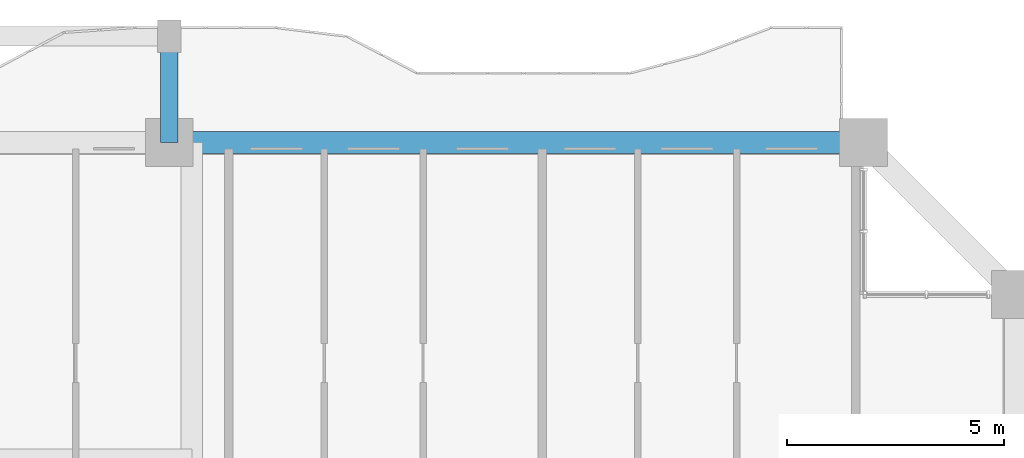
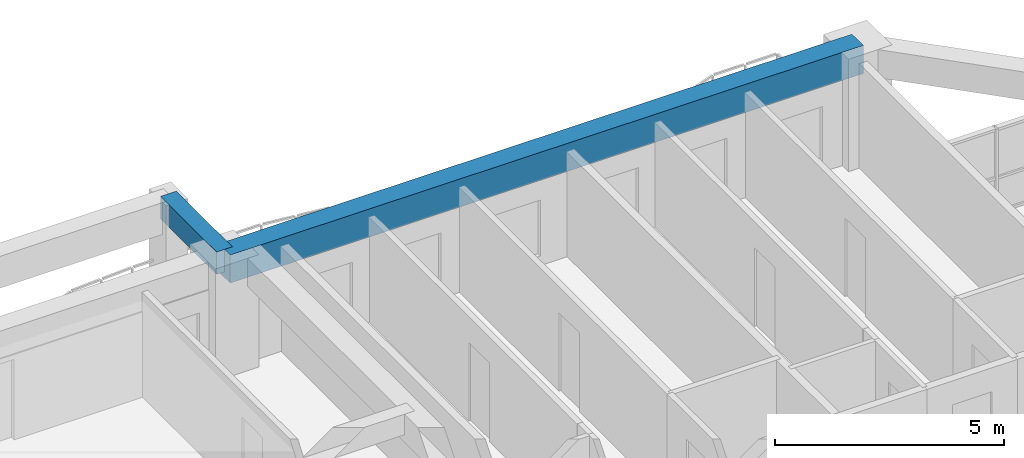
# One storey, part 11 of 28: 2 beams.
"""IFC4 building model written with IfcOpenShell, lengths in metres."""

from ifc_helpers import new_model, si_unit, direction, frame, origin, origin_2d, place, context, subcontext, project, spatial, rectangle, extrude, source, transform, mapped, material, material_profile, profile_set, type_object, element, save


model = new_model("IFC4")

# Units and contexts
model_context = context("Model", 3, precision=1e-05, world=origin(), true_north=direction((0.0, 1.0)))
body_context = subcontext(model_context, "Body", "Model", "MODEL_VIEW")
ifc_project = project(units=[si_unit("LENGTHUNIT", "METRE"), si_unit("AREAUNIT", "SQUARE_METRE"), si_unit("VOLUMEUNIT", "CUBIC_METRE"), si_unit("PLANEANGLEUNIT", "RADIAN"), si_unit("MASSUNIT", "GRAM", prefix="KILO")], contexts=[model_context])

# Site, building, storey
site_placement = place(None, origin())
site = spatial("IfcSite", under=ifc_project, at=site_placement, CompositionType="ELEMENT")
building_placement = place(site_placement, origin())
building = spatial("IfcBuilding", under=site, at=building_placement, Name="Saelheon Loggia Tower", CompositionType="ELEMENT")
storey_placement = place(building_placement, frame((0.0, 0.0, 25.39990234375)))
storey = spatial("IfcBuildingStorey", under=building, at=storey_placement, Name="L07", CompositionType="ELEMENT", Elevation=25.39990234375)

# Beams
ifc_material_1 = material(Name="Concrete C45/55", Category="concrete")
ifc_material_profile_1 = material_profile(ifc_material_1, rectangle(XDim=0.5, YDim=0.75, at=origin_2d()), Name="RC-500x750")
ifc_profile_set_1 = profile_set([ifc_material_profile_1], Name="Concrete C45/55")
beam_type_1 = type_object("IfcBeamType", Name="Beam_PerimGirder_RC500x750", PredefinedType="BEAM", material=ifc_profile_set_1)
shared_shape_1 = source(origin(), body_context, "Body", "SweptSolid", [
    extrude(rectangle(XDim=0.5, YDim=0.75, at=origin_2d()), origin(), (0.0, 0.0, 1.0), 16.0),
])
beam_1_placement = place(storey_placement, frame((60.5, 51.0, 2.625), z_axis=(-1.0, 0.0, 0.0), x_axis=(0.0, -1.0, 0.0)))
element("IfcBeam", 1, at=beam_1_placement, inside=storey, type_object=beam_type_1, Name="L07 Perimeter Frame Girder 09", PredefinedType="BEAM", context=body_context, shape_type="MappedRepresentation", body=[
    mapped(shared_shape_1, transform((0.0, 0.0, 0.0), scale=1.0)),
])
ifc_material_2 = material(Name="Precast Concrete C45/55", Category="concrete")
ifc_material_profile_2 = material_profile(ifc_material_2, rectangle(XDim=0.39990234375, YDim=0.60009765625, at=origin_2d()), Name="RC-400x600")
ifc_profile_set_2 = profile_set([ifc_material_profile_2], Name="Precast Concrete C45/55")
beam_type_2 = type_object("IfcBeamType", Name="Beam_LoggiaTie_RC400x600", PredefinedType="BEAM", material=ifc_profile_set_2)
shared_shape_2 = source(origin(), body_context, "Body", "SweptSolid", [
    extrude(rectangle(XDim=0.39990234375, YDim=0.60009765625, at=origin_2d()), origin(), (0.0, 0.0, 1.0), 2.449951171875),
])
beam_2_placement = place(storey_placement, frame((44.5, 51.0, 2.7001953125), z_axis=(0.0, 1.0, 0.0), x_axis=(-1.0, 0.0, 0.0)))
element("IfcBeam", 2, at=beam_2_placement, inside=storey, type_object=beam_type_2, Name="L07 Loggia Frame Tie Beam LP-N2", PredefinedType="BEAM", context=body_context, shape_type="MappedRepresentation", body=[
    mapped(shared_shape_2, transform((0.0, 0.0, 0.0), scale=1.0)),
])

save(model, "model.ifc")
